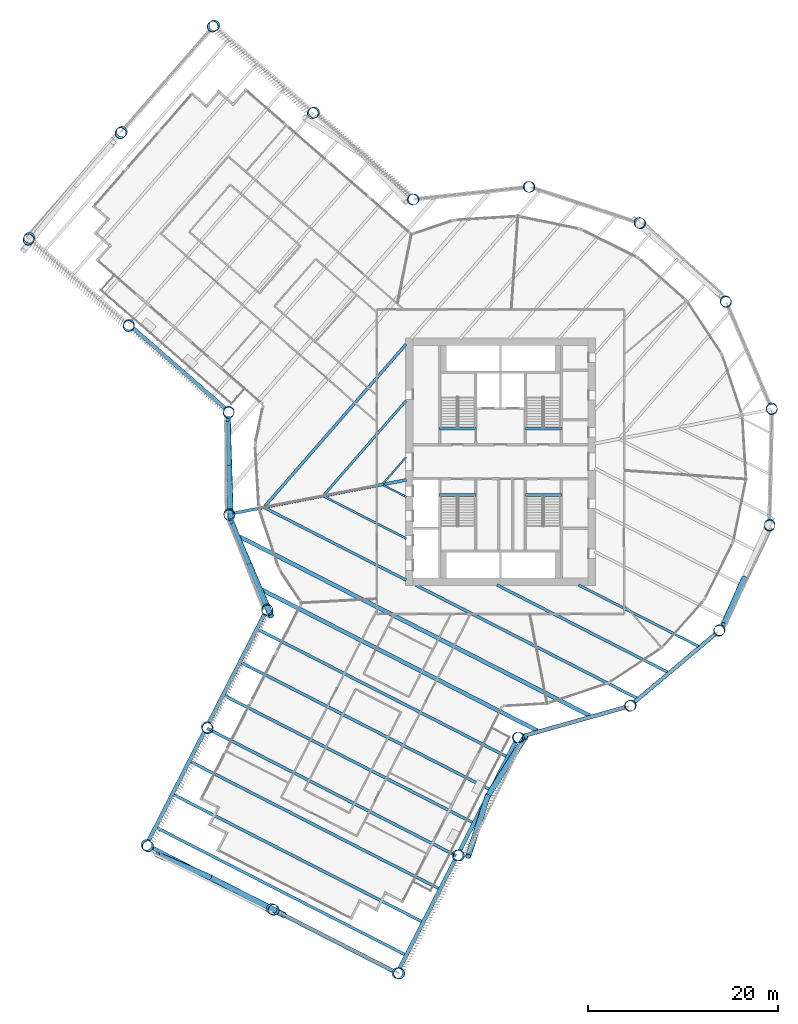
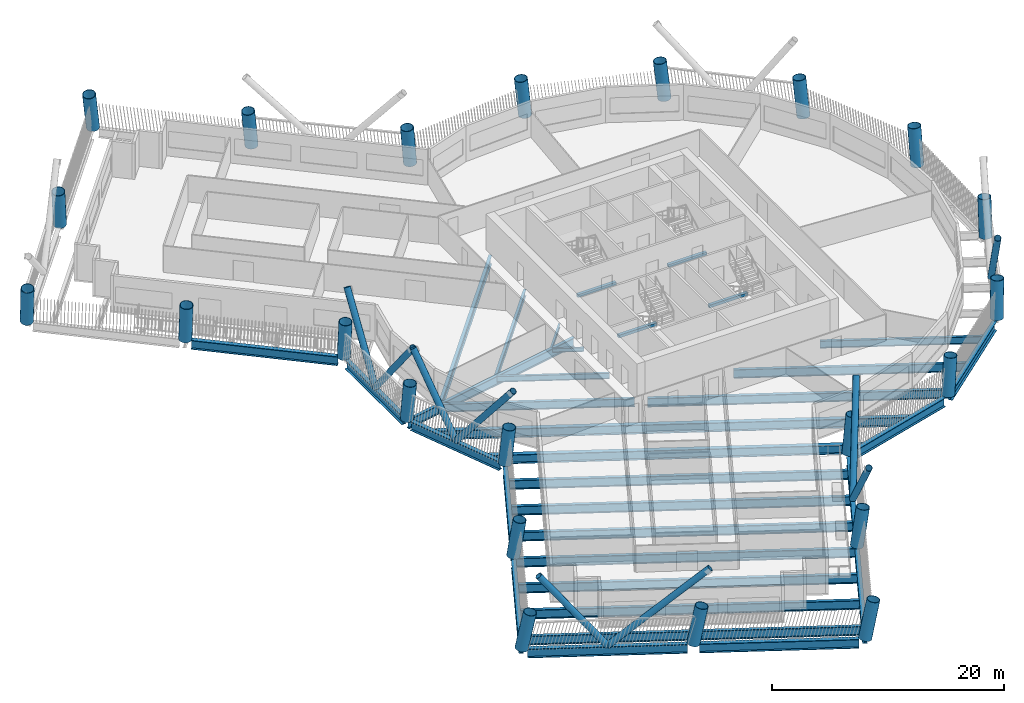
# One storey, part 1 of 21: 34 beams, 22 columns, 9 members.
"""IFC4 building model written with IfcOpenShell, lengths in metres."""

from ifc_helpers import new_model, si_unit, direction, frame, origin, origin_2d, place, context, subcontext, project, spatial, rectangle, hollow_circle, i_section, extrude, material, material_profile, profile_set, type_object, element, save


model = new_model("IFC4")

# Units and contexts
model_context = context("Model", 3, precision=1e-05, world=origin(), true_north=direction((0.0, 1.0)))
body_context = subcontext(model_context, "Body", "Model", "MODEL_VIEW")
ifc_project = project(units=[si_unit("LENGTHUNIT", "METRE"), si_unit("AREAUNIT", "SQUARE_METRE"), si_unit("VOLUMEUNIT", "CUBIC_METRE"), si_unit("PLANEANGLEUNIT", "RADIAN"), si_unit("MASSUNIT", "GRAM", prefix="KILO")], contexts=[model_context])

# Site, building, storey
site_placement = place(None, origin())
site = spatial("IfcSite", under=ifc_project, at=site_placement, CompositionType="ELEMENT")
building_placement = place(site_placement, origin())
building = spatial("IfcBuilding", under=site, at=building_placement, Name="Tarsis Ring Headquarters", CompositionType="ELEMENT")
storey_placement = place(building_placement, frame((0.0, 0.0, 100.60009765625)))
storey = spatial("IfcBuildingStorey", under=building, at=storey_placement, Name="L22", CompositionType="ELEMENT", Elevation=100.60009765625)

# Columns
ifc_material_1 = material(Name="Structural steel S355", Category="steel")
ifc_material_profile_1 = material_profile(ifc_material_1, hollow_circle(Radius=0.584228515625, WallThickness=0.044921875, at=origin_2d()), Name="CHS 1168x45")
ifc_profile_set_1 = profile_set([ifc_material_profile_1], Name="Structural steel S355")
column_type = type_object("IfcColumnType", Name="XC Exo column CHS 1168x45", PredefinedType="COLUMN", material=ifc_profile_set_1)
for number, where, z_axis, x_axis, name in (
    (1, (-28.5224609375, -5.5029296875, 0.000732421875), (0.01975212753, -0.098947566301, 0.994896593914), (0.980651865464, 0.195759849718, 0.0), "Exo column XC3 F1"),
    (2, (-24.55615234375, -15.517822265625, 0.000732421875), (0.054458609358, -0.084928014365, 0.99489772954), (0.841799986268, 0.539789573, 0.0), "Exo column XC3 AK"),
):
    element("IfcColumn", number, at=place(storey_placement, frame(where, z_axis=z_axis, x_axis=x_axis)), inside=storey, type_object=column_type, Name=name, PredefinedType="COLUMN", context=body_context, shape_type="SweptSolid", body=[
        extrude(hollow_circle(Radius=0.584228515625, WallThickness=0.044921875, at=origin_2d()), origin(), (0.0, 0.0, 1.0), 3.918212890625),
    ])
column_1_placement = place(storey_placement, frame((-30.885009765625, -27.896240234375, 0.0009765625), z_axis=(0.097065152166, -0.1059906834, 0.989618275532), x_axis=(0.737476290314, 0.675373023761, 0.0)))
element("IfcColumn", 3, at=column_1_placement, inside=storey, type_object=column_type, Name="Exo column XC3 AI1", PredefinedType="COLUMN", context=body_context, shape_type="SweptSolid", body=[
    extrude(hollow_circle(Radius=0.584228515625, WallThickness=0.044921875, at=origin_2d()), origin(), (0.0, 0.0, 1.0), 3.938720703125),
])
column_2_placement = place(storey_placement, frame((-37.213623046875, -40.2744140625, 0.001220703125), z_axis=(0.138922093606, -0.126617213747, 0.98217551033), x_axis=(0.673617167982, 0.739080449613, 0.0)))
element("IfcColumn", 4, at=column_2_placement, inside=storey, type_object=column_type, Name="Exo column XC3 AT1", PredefinedType="COLUMN", context=body_context, shape_type="SweptSolid", body=[
    extrude(hollow_circle(Radius=0.584228515625, WallThickness=0.044921875, at=origin_2d()), origin(), (0.0, 0.0, 1.0), 3.96826171875),
])
column_3_placement = place(storey_placement, frame((-24.0361328125, -47.01171875, 0.001220703125), z_axis=(0.161954556812, -0.081439301676, 0.98343193037), x_axis=(0.449251395941, 0.893405385726, 0.0)))
element("IfcColumn", 5, at=column_3_placement, inside=storey, type_object=column_type, Name="Exo column XC3 AT2", PredefinedType="COLUMN", context=body_context, shape_type="SweptSolid", body=[
    extrude(hollow_circle(Radius=0.584228515625, WallThickness=0.044921875, at=origin_2d()), origin(), (0.0, 0.0, 1.0), 3.963134765625),
])
column_4_placement = place(storey_placement, frame((-10.858642578125, -53.7490234375, 0.001220703125), z_axis=(0.184510871, -0.035991617051, 0.982171238626), x_axis=(0.191456532056, 0.981501093394, 0.0)))
element("IfcColumn", 6, at=column_4_placement, inside=storey, type_object=column_type, Name="Exo column XC3 AT3", PredefinedType="COLUMN", context=body_context, shape_type="SweptSolid", body=[
    extrude(hollow_circle(Radius=0.584228515625, WallThickness=0.044921875, at=origin_2d()), origin(), (0.0, 0.0, 1.0), 3.96826171875),
])
column_5_placement = place(storey_placement, frame((-4.530029296875, -41.370849609375, 0.0009765625), z_axis=(0.14305462382, -0.014689751233, 0.989605772928), x_axis=(0.102149165937, 0.994769092754, 0.0)))
element("IfcColumn", 7, at=column_5_placement, inside=storey, type_object=column_type, Name="Exo column XC3 AO1", PredefinedType="COLUMN", context=body_context, shape_type="SweptSolid", body=[
    extrude(hollow_circle(Radius=0.584228515625, WallThickness=0.044921875, at=origin_2d()), origin(), (0.0, 0.0, 1.0), 3.93896484375),
])
for number, where, z_axis, x_axis, name in (
    (8, (1.798828125, -28.99267578125, 0.000732421875), (0.100630253718, 0.006916382763, 0.994899852089), (-0.068568884616, 0.997646384278, 0.0), "Exo column XC3 AJ"),
    (9, (13.58935546875, -25.673828125, 0.000732421875), (0.088853499833, 0.047791468704, 0.994897497779), (-0.473694653802, 0.880689147747, 0.0), "Exo column XC3 R1"),
    (10, (22.9638671875, -17.7900390625, 0.000732421875), (0.06118816158, 0.080192631318, 0.99489956818), (-0.795006121233, 0.606601407188, 0.0), "Exo column XC3 R2"),
    (11, (28.255126953125, -6.742919921875, 0.000732421875), (0.022743077745, 0.098262557818, 0.99490060918), (-0.974245221713, 0.225491126142, 0.0), "Exo column XC3 R3"),
    (12, (28.5224609375, 5.5029296875, 0.000732421875), (-0.01975212753, 0.098947566301, 0.994896593914), (-0.980651865464, -0.195759849718, 0.0), "Exo column XC3 R4"),
    (13, (23.718505859375, 16.7705078125, 0.000732421875), (-0.05882042949, 0.081937356757, 0.994900209389), (-0.812353749463, -0.583164972999, 0.0), "Exo column XC3 R5"),
    (14, (14.697265625, 25.05615234375, 0.000732421875), (-0.087358354162, 0.050408636603, 0.994900742443), (-0.499793761865, -0.866144442689, 0.0), "Exo column XC3 R6"),
    (15, (3.062744140625, 28.88671875, 0.000732421875), (-0.100381003788, 0.009907249908, 0.994899743933), (-0.098219244733, -0.995164800405, 0.0), "Exo column XC3 R7"),
    (16, (-9.1162109375, 27.5810546875, 0.000732421875), (-0.095582797875, -0.032338638916, 0.994896045416), (0.320485364698, -0.947253467143, 0.0), "Exo column XC3 BJ"),
):
    element("IfcColumn", number, at=place(storey_placement, frame(where, z_axis=z_axis, x_axis=x_axis)), inside=storey, type_object=column_type, Name=name, PredefinedType="COLUMN", context=body_context, shape_type="SweptSolid", body=[
        extrude(hollow_circle(Radius=0.584228515625, WallThickness=0.044921875, at=origin_2d()), origin(), (0.0, 0.0, 1.0), 3.918212890625),
    ])
column_6_placement = place(storey_placement, frame((-19.595703125, 36.71630859375, 0.0009765625), z_axis=(-0.126381998797, -0.068552472128, 0.989610099456), x_axis=(0.476796915607, -0.879013481846, 0.0)))
element("IfcColumn", 17, at=column_6_placement, inside=storey, type_object=column_type, Name="Exo column XC3 BO1", PredefinedType="COLUMN", context=body_context, shape_type="SweptSolid", body=[
    extrude(hollow_circle(Radius=0.584228515625, WallThickness=0.044921875, at=origin_2d()), origin(), (0.0, 0.0, 1.0), 3.93896484375),
])
column_7_placement = place(storey_placement, frame((-30.0751953125, 45.8515625, 0.001220703125), z_axis=(-0.156516810767, -0.104159968801, 0.982167597127), x_axis=(0.554020355136, -0.832503120772, 0.0)))
element("IfcColumn", 18, at=column_7_placement, inside=storey, type_object=column_type, Name="Exo column XC3 BT3", PredefinedType="COLUMN", context=body_context, shape_type="SweptSolid", body=[
    extrude(hollow_circle(Radius=0.584228515625, WallThickness=0.044921875, at=origin_2d()), origin(), (0.0, 0.0, 1.0), 3.96826171875),
])
column_8_placement = place(storey_placement, frame((-39.800537109375, 34.6953125, 0.001220703125), z_axis=(-0.118155477242, -0.137437366906, 0.983437976375), x_axis=(0.75829608552, -0.651910305705, 0.0)))
element("IfcColumn", 19, at=column_8_placement, inside=storey, type_object=column_type, Name="Exo column XC3 BT2", PredefinedType="COLUMN", context=body_context, shape_type="SweptSolid", body=[
    extrude(hollow_circle(Radius=0.584228515625, WallThickness=0.044921875, at=origin_2d()), origin(), (0.0, 0.0, 1.0), 3.963134765625),
])
column_9_placement = place(storey_placement, frame((-49.525634765625, 23.5390625, 0.001220703125), z_axis=(-0.07955108668, -0.170299619436, 0.982175984347), x_axis=(0.906024194005, -0.423225896983, 0.0)))
element("IfcColumn", 20, at=column_9_placement, inside=storey, type_object=column_type, Name="Exo column XC3 BT1", PredefinedType="COLUMN", context=body_context, shape_type="SweptSolid", body=[
    extrude(hollow_circle(Radius=0.584228515625, WallThickness=0.044921875, at=origin_2d()), origin(), (0.0, 0.0, 1.0), 3.96826171875),
])
column_10_placement = place(storey_placement, frame((-39.046142578125, 14.40380859375, 0.0009765625), z_axis=(-0.048842373177, -0.135184284136, 0.989615901199), x_axis=(0.940496488031, -0.339803407872, 0.0)))
element("IfcColumn", 21, at=column_10_placement, inside=storey, type_object=column_type, Name="Exo column XC3 BI1", PredefinedType="COLUMN", context=body_context, shape_type="SweptSolid", body=[
    extrude(hollow_circle(Radius=0.584228515625, WallThickness=0.044921875, at=origin_2d()), origin(), (0.0, 0.0, 1.0), 3.93896484375),
])
column_11_placement = place(storey_placement, frame((-28.566650390625, 5.2685546875, 0.000732421875), z_axis=(-0.017633647585, -0.099321675797, 0.994899120107), x_axis=(0.984602695421, -0.174807128484, 0.0)))
element("IfcColumn", 22, at=column_11_placement, inside=storey, type_object=column_type, Name="Exo column XC3 BK", PredefinedType="COLUMN", context=body_context, shape_type="SweptSolid", body=[
    extrude(hollow_circle(Radius=0.584228515625, WallThickness=0.044921875, at=origin_2d()), origin(), (0.0, 0.0, 1.0), 3.918212890625),
])

# Beams
ifc_material_profile_2 = material_profile(ifc_material_1, i_section(OverallWidth=0.177734375, OverallDepth=0.406494140625, WebThickness=0.0078125, FlangeThickness=0.0126953125, at=origin_2d()), Name="W16x40")
ifc_profile_set_2 = profile_set([ifc_material_profile_2], Name="Structural steel S355")
beam_type_1 = type_object("IfcBeamType", Name="FB Floor beam W16x40", PredefinedType="JOIST", material=ifc_profile_set_2)
beam_1_placement = place(storey_placement, frame((-12.304931640625, -2.468994140625, -0.36328125), z_axis=(0.890359443983, -0.455258234972, 0.0), x_axis=(0.455258234972, 0.890359443983, 0.0)))
element("IfcBeam", 23, at=beam_1_placement, inside=storey, type_object=beam_type_1, Name="Floor beam FB1", PredefinedType="JOIST", context=body_context, shape_type="SweptSolid", body=[
    extrude(i_section(OverallWidth=0.177734375, OverallDepth=0.406494140625, WebThickness=0.0078125, FlangeThickness=0.0126953125, at=origin_2d()), origin(), (0.0, 0.0, 1.0), 2.68896484375),
])
beam_2_placement = place(storey_placement, frame((-9.934326171875, 0.47412109375, -0.36328125), z_axis=(-0.657143943431, -0.753765107717, 0.0), x_axis=(0.753765107717, -0.657143943431, 0.0)))
element("IfcBeam", 24, at=beam_2_placement, inside=storey, type_object=beam_type_1, Name="Floor beam FB1", PredefinedType="JOIST", context=body_context, shape_type="SweptSolid", body=[
    extrude(i_section(OverallWidth=0.177734375, OverallDepth=0.406494140625, WebThickness=0.0078125, FlangeThickness=0.0126953125, at=origin_2d()), origin(), (0.0, 0.0, 1.0), 3.661376953125),
])
ifc_material_profile_3 = material_profile(ifc_material_1, i_section(OverallWidth=0.228271484375, OverallDepth=0.607177734375, WebThickness=0.01123046875, FlangeThickness=0.017333984375, at=origin_2d()), Name="W24x76")
ifc_profile_set_3 = profile_set([ifc_material_profile_3], Name="Structural steel S355")
beam_type_2 = type_object("IfcBeamType", Name="FB Floor beam W24x76", PredefinedType="JOIST", material=ifc_profile_set_3)
beam_3_placement = place(storey_placement, frame((-18.52490234375, -3.669189453125, -0.463623046875), z_axis=(0.890378770389, -0.455220435877, 0.0), x_axis=(0.455220435877, 0.890378770389, 0.0)))
element("IfcBeam", 25, at=beam_3_placement, inside=storey, type_object=beam_type_2, Name="Floor beam FB4", PredefinedType="JOIST", context=body_context, shape_type="SweptSolid", body=[
    extrude(i_section(OverallWidth=0.228271484375, OverallDepth=0.607177734375, WebThickness=0.01123046875, FlangeThickness=0.017333984375, at=origin_2d()), origin(), (0.0, 0.0, 1.0), 9.674560546875),
])
ifc_material_profile_4 = material_profile(ifc_material_1, i_section(OverallWidth=0.2529296875, OverallDepth=0.67822265625, WebThickness=0.01171875, FlangeThickness=0.016357421875, at=origin_2d()), Name="W27x84")
ifc_profile_set_4 = profile_set([ifc_material_profile_4], Name="Structural steel S355")
beam_type_3 = type_object("IfcBeamType", Name="FB Floor beam W27x84", PredefinedType="JOIST", material=ifc_profile_set_4)
beam_4_placement = place(storey_placement, frame((-9.934326171875, 6.4091796875, -0.499267578125), z_axis=(-0.657105124044, -0.753798949293, 0.0), x_axis=(0.753798949293, -0.657105124044, 0.0)))
element("IfcBeam", 26, at=beam_4_placement, inside=storey, type_object=beam_type_3, Name="Floor beam FB5", PredefinedType="JOIST", context=body_context, shape_type="SweptSolid", body=[
    extrude(i_section(OverallWidth=0.2529296875, OverallDepth=0.67822265625, WebThickness=0.01171875, FlangeThickness=0.016357421875, at=origin_2d()), origin(), (0.0, 0.0, 1.0), 13.126953125),
])
ifc_material_profile_5 = material_profile(ifc_material_1, i_section(OverallWidth=0.2666015625, OverallDepth=0.7568359375, WebThickness=0.013916015625, FlangeThickness=0.019287109375, at=origin_2d()), Name="W30x108")
ifc_profile_set_5 = profile_set([ifc_material_profile_5], Name="Structural steel S355")
beam_type_4 = type_object("IfcBeamType", Name="FB Floor beam W30x108", PredefinedType="JOIST", material=ifc_profile_set_5)
beam_5_placement = place(storey_placement, frame((8.203125, -12.95458984375, -0.53857421875), z_axis=(0.890373653023, -0.455230444942, 0.0), x_axis=(0.455230444942, 0.890373653023, 0.0)))
element("IfcBeam", 27, at=beam_5_placement, inside=storey, type_object=beam_type_4, Name="Floor beam FB6", PredefinedType="JOIST", context=body_context, shape_type="SweptSolid", body=[
    extrude(i_section(OverallWidth=0.2666015625, OverallDepth=0.7568359375, WebThickness=0.013916015625, FlangeThickness=0.019287109375, at=origin_2d()), origin(), (0.0, 0.0, 1.0), 14.19580078125),
])
ifc_material_profile_6 = material_profile(ifc_material_1, i_section(OverallWidth=0.2919921875, OverallDepth=0.835693359375, WebThickness=0.013916015625, FlangeThickness=0.018798828125, at=origin_2d()), Name="W33x118")
ifc_profile_set_6 = profile_set([ifc_material_profile_6], Name="Structural steel S355")
beam_type_5 = type_object("IfcBeamType", Name="FB Floor beam W33x118", PredefinedType="JOIST", material=ifc_profile_set_6)
beam_6_placement = place(storey_placement, frame((-24.74462890625, -4.869140625, -0.577880859375), z_axis=(0.890372913026, -0.455231892282, 0.0), x_axis=(0.455231892282, 0.890372913026, 0.0)))
element("IfcBeam", 28, at=beam_6_placement, inside=storey, type_object=beam_type_5, Name="Floor beam FB7", PredefinedType="JOIST", context=body_context, shape_type="SweptSolid", body=[
    extrude(i_section(OverallWidth=0.2919921875, OverallDepth=0.835693359375, WebThickness=0.013916015625, FlangeThickness=0.018798828125, at=origin_2d()), origin(), (0.0, 0.0, 1.0), 16.66015625),
])
ifc_material_profile_7 = material_profile(ifc_material_1, i_section(OverallWidth=0.3046875, OverallDepth=0.904296875, WebThickness=0.01513671875, FlangeThickness=0.02001953125, at=origin_2d()), Name="W36x135")
ifc_profile_set_7 = profile_set([ifc_material_profile_7], Name="Structural steel S355")
beam_type_6 = type_object("IfcBeamType", Name="FB Floor beam W36x135", PredefinedType="JOIST", material=ifc_profile_set_7)
beam_7_placement = place(storey_placement, frame((-0.364013671875, -12.95458984375, -0.6123046875), z_axis=(0.890374534267, -0.455228721335, 0.0), x_axis=(0.455228721335, 0.890374534267, 0.0)))
element("IfcBeam", 29, at=beam_7_placement, inside=storey, type_object=beam_type_6, Name="Floor beam FB8", PredefinedType="JOIST", context=body_context, shape_type="SweptSolid", body=[
    extrude(i_section(OverallWidth=0.3046875, OverallDepth=0.904296875, WebThickness=0.01513671875, FlangeThickness=0.02001953125, at=origin_2d()), origin(), (0.0, 0.0, 1.0), 20.179931640625),
])
ifc_material_profile_8 = material_profile(ifc_material_1, i_section(OverallWidth=0.3046875, OverallDepth=0.91943359375, WebThickness=0.017333984375, FlangeThickness=0.02783203125, at=origin_2d()), Name="W36x170")
ifc_profile_set_8 = profile_set([ifc_material_profile_8], Name="Structural steel S355")
beam_type_7 = type_object("IfcBeamType", Name="FB Floor beam W36x170", PredefinedType="JOIST", material=ifc_profile_set_8)
beam_8_placement = place(storey_placement, frame((-9.934326171875, 12.34423828125, -0.619873046875), z_axis=(-0.657110325773, -0.753794414786, 0.0), x_axis=(0.753794414786, -0.657110325773, 0.0)))
element("IfcBeam", 30, at=beam_8_placement, inside=storey, type_object=beam_type_7, Name="Floor beam FB9", PredefinedType="JOIST", context=body_context, shape_type="SweptSolid", body=[
    extrude(i_section(OverallWidth=0.3046875, OverallDepth=0.91943359375, WebThickness=0.017333984375, FlangeThickness=0.02783203125, at=origin_2d()), origin(), (0.0, 0.0, 1.0), 22.59228515625),
])
ifc_material_profile_9 = material_profile(ifc_material_1, i_section(OverallWidth=0.309814453125, OverallDepth=0.93212890625, WebThickness=0.02099609375, FlangeThickness=0.034423828125, at=origin_2d()), Name="W36x210")
ifc_profile_set_9 = profile_set([ifc_material_profile_9], Name="Structural steel S355")
beam_type_8 = type_object("IfcBeamType", Name="FB Floor beam W36x210", PredefinedType="JOIST", material=ifc_profile_set_9)
beam_9_placement = place(storey_placement, frame((-8.930908203125, -12.95458984375, -0.626220703125), z_axis=(0.890371144889, -0.455235350505, 0.0), x_axis=(0.455235350505, 0.890371144889, 0.0)))
element("IfcBeam", 31, at=beam_9_placement, inside=storey, type_object=beam_type_8, Name="Floor beam FB10", PredefinedType="JOIST", context=body_context, shape_type="SweptSolid", body=[
    extrude(i_section(OverallWidth=0.309814453125, OverallDepth=0.93212890625, WebThickness=0.02099609375, FlangeThickness=0.034423828125, at=origin_2d()), origin(), (0.0, 0.0, 1.0), 26.163818359375),
])
ifc_material_profile_10 = material_profile(ifc_material_1, i_section(OverallWidth=0.309814453125, OverallDepth=0.949951171875, WebThickness=0.0244140625, FlangeThickness=0.0439453125, at=origin_2d()), Name="W36x256")
ifc_profile_set_10 = profile_set([ifc_material_profile_10], Name="Structural steel S355")
beam_type_9 = type_object("IfcBeamType", Name="FB Floor beam W36x256", PredefinedType="JOIST", material=ifc_profile_set_10)
beam_10_placement = place(storey_placement, frame((-25.505615234375, -17.62060546875, -0.635009765625), z_axis=(0.890370232984, -0.455237134048, 0.0), x_axis=(0.455237134048, 0.890370232984, 0.0)))
element("IfcBeam", 32, at=beam_10_placement, inside=storey, type_object=beam_type_9, Name="Floor beam FB11", PredefinedType="JOIST", context=body_context, shape_type="SweptSolid", body=[
    extrude(i_section(OverallWidth=0.309814453125, OverallDepth=0.949951171875, WebThickness=0.0244140625, FlangeThickness=0.0439453125, at=origin_2d()), origin(), (0.0, 0.0, 1.0), 29.3759765625),
])
for number, where, z_axis, x_axis, name in (
    (33, (-27.281005859375, -21.09326171875, -0.635009765625), (0.89037187929, -0.455233914126, 0.0), (0.455233914126, 0.89037187929, 0.0), "Floor beam FB11"),
    (34, (-29.056396484375, -24.565673828125, -0.635009765625), (0.89037187929, -0.455233914126, 0.0), (0.455233914126, 0.89037187929, 0.0), "Floor beam FB11"),
    (35, (-30.831787109375, -28.0380859375, -0.635009765625), (0.89037187929, -0.455233914126, 0.0), (0.455233914126, 0.89037187929, 0.0), "Floor beam FB11"),
    (36, (-32.607177734375, -31.510498046875, -0.635009765625), (0.89037187929, -0.455233914126, 0.0), (0.455233914126, 0.89037187929, 0.0), "Floor beam FB11"),
    (37, (-34.382568359375, -34.98291015625, -0.635009765625), (0.89037187929, -0.455233914126, 0.0), (0.455233914126, 0.89037187929, 0.0), "Floor beam FB11"),
    (38, (-36.157958984375, -38.455322265625, -0.635009765625), (0.89036851061, -0.455240502718, 0.0), (0.455240502718, 0.89036851061, 0.0), "Floor beam FB11"),
):
    element("IfcBeam", number, at=place(storey_placement, frame(where, z_axis=z_axis, x_axis=x_axis)), inside=storey, type_object=beam_type_9, Name=name, PredefinedType="JOIST", context=body_context, shape_type="SweptSolid", body=[
        extrude(i_section(OverallWidth=0.309814453125, OverallDepth=0.949951171875, WebThickness=0.0244140625, FlangeThickness=0.0439453125, at=origin_2d()), origin(), (0.0, 0.0, 1.0), 29.375732421875),
    ])
beam_type_10 = type_object("IfcBeamType", Name="FB Floor beam W36x256 spine", PredefinedType="BEAM", material=ifc_profile_set_10)
beam_11_placement = place(storey_placement, frame((-9.90185546875, -1.910400390625, -0.635009765625), z_axis=(-0.981892629774, -0.189438284397, 0.0), x_axis=(0.189438284397, -0.981892629774, 0.0)))
element("IfcBeam", 39, at=beam_11_placement, inside=storey, type_object=beam_type_10, Name="Floor beam SB11", PredefinedType="BEAM", context=body_context, shape_type="SweptSolid", body=[
    extrude(i_section(OverallWidth=0.309814453125, OverallDepth=0.949951171875, WebThickness=0.0244140625, FlangeThickness=0.0439453125, at=origin_2d()), origin(), (0.0, 0.0, 1.0), 18.84814453125),
])
ifc_material_profile_11 = material_profile(ifc_material_1, i_section(OverallWidth=0.42431640625, OverallDepth=0.947509765625, WebThickness=0.02392578125, FlangeThickness=0.042724609375, at=origin_2d()), Name="W36x302")
ifc_profile_set_11 = profile_set([ifc_material_profile_11], Name="Structural steel S355")
beam_type_11 = type_object("IfcBeamType", Name="FB Floor beam W36x302", PredefinedType="JOIST", material=ifc_profile_set_11)
beam_12_placement = place(storey_placement, frame((-27.42431640625, -7.87939453125, -0.6337890625), z_axis=(0.890372947408, -0.455231825033, 0.0), x_axis=(0.455231825033, 0.890372947408, 0.0)))
element("IfcBeam", 40, at=beam_12_placement, inside=storey, type_object=beam_type_11, Name="Floor beam FB12", PredefinedType="JOIST", context=body_context, shape_type="SweptSolid", body=[
    extrude(i_section(OverallWidth=0.42431640625, OverallDepth=0.947509765625, WebThickness=0.02392578125, FlangeThickness=0.042724609375, at=origin_2d()), origin(), (0.0, 0.0, 1.0), 41.35302734375),
])
beam_13_placement = place(storey_placement, frame((-25.249267578125, -13.37158203125, -0.6337890625), z_axis=(0.890370405522, -0.455236796592, 0.0), x_axis=(0.455236796592, 0.890370405522, 0.0)))
element("IfcBeam", 41, at=beam_13_placement, inside=storey, type_object=beam_type_11, Name="Floor beam FB12", PredefinedType="JOIST", context=body_context, shape_type="SweptSolid", body=[
    extrude(i_section(OverallWidth=0.42431640625, OverallDepth=0.947509765625, WebThickness=0.02392578125, FlangeThickness=0.042724609375, at=origin_2d()), origin(), (0.0, 0.0, 1.0), 32.704833984375),
])
ifc_material_2 = material(Name="Concrete C40/50", Category="concrete")
ifc_material_profile_12 = material_profile(ifc_material_2, rectangle(XDim=0.300048828125, YDim=0.300048828125, at=origin_2d()), Name="Stair head beam 300x300 C40/50")
ifc_profile_set_12 = profile_set([ifc_material_profile_12], Name="Concrete C40/50")
beam_type_12 = type_object("IfcBeamType", Name="Stair head beam 300x300 C40/50", PredefinedType="BEAM", material=ifc_profile_set_12)
for number, where, z_axis, x_axis, name in (
    (42, (-6.39990234375, 3.510009765625, -0.31005859375), (1.0, 0.0, 0.0), (0.0, 1.0, 0.0), "Stair head beam L22 Firefighting stair"),
    (43, (2.60009765625, 3.510009765625, -0.31005859375), (1.0, 0.0, 0.0), (0.0, 1.0, 0.0), "Stair head beam L22 Exit stair B"),
    (44, (-6.39990234375, -3.510009765625, -0.31005859375), (1.0, 0.0, 0.0), (0.0, 1.0, 0.0), "Stair head beam L22 Exit stair C"),
    (45, (2.60009765625, -3.510009765625, -0.31005859375), (1.0, 0.0, 0.0), (0.0, 1.0, 0.0), "Stair head beam L22 Exit stair D"),
):
    element("IfcBeam", number, at=place(storey_placement, frame(where, z_axis=z_axis, x_axis=x_axis)), inside=storey, type_object=beam_type_12, Name=name, PredefinedType="BEAM", context=body_context, shape_type="SweptSolid", body=[
        extrude(rectangle(XDim=0.300048828125, YDim=0.300048828125, at=origin_2d()), origin(), (0.0, 0.0, 1.0), 3.7998046875),
    ])

# Members
ifc_material_profile_13 = material_profile(ifc_material_1, hollow_circle(Radius=0.3046875, WallThickness=0.02490234375, at=origin_2d()), Name="CHS 610x25")
ifc_profile_set_13 = profile_set([ifc_material_profile_13], Name="Structural steel S355")
member_type = type_object("IfcMemberType", Name="XD X brace CHS 610x25", PredefinedType="BRACE", material=ifc_profile_set_13)
member_1_placement = place(storey_placement, frame((-26.539306640625, -10.51025390625, 0.0), z_axis=(0.242891707741, -0.570414843679, 0.78462126177), x_axis=(0.920060472208, 0.391776374328, 0.0)))
element("IfcMember", 46, at=member_1_placement, inside=storey, type_object=member_type, Name="X brace XD1", PredefinedType="BRACE", context=body_context, shape_type="SweptSolid", body=[
    extrude(hollow_circle(Radius=0.3046875, WallThickness=0.02490234375, at=origin_2d()), origin(), (0.0, 0.0, 1.0), 9.94091796875),
])
member_2_placement = place(storey_placement, frame((-26.539306640625, -10.51025390625, 0.0), z_axis=(-0.201195160354, 0.46722765741, 0.860940662068), x_axis=(-0.918464133194, -0.39550428068, 0.0)))
element("IfcMember", 47, at=member_2_placement, inside=storey, type_object=member_type, Name="X brace XD1", PredefinedType="BRACE", context=body_context, shape_type="SweptSolid", body=[
    extrude(hollow_circle(Radius=0.3046875, WallThickness=0.02490234375, at=origin_2d()), origin(), (0.0, 0.0, 1.0), 9.0595703125),
])
member_3_placement = place(storey_placement, frame((-30.625, -43.642822265625, 0.0), z_axis=(0.668305053368, -0.339848426073, 0.661718522439), x_axis=(0.453280903793, 0.891367725609, 0.0)))
element("IfcMember", 48, at=member_3_placement, inside=storey, type_object=member_type, Name="X brace XD1", PredefinedType="BRACE", context=body_context, shape_type="SweptSolid", body=[
    extrude(hollow_circle(Radius=0.3046875, WallThickness=0.02490234375, at=origin_2d()), origin(), (0.0, 0.0, 1.0), 11.787109375),
])
member_4_placement = place(storey_placement, frame((-30.625, -43.642822265625, 0.0), z_axis=(-0.557802907437, 0.241330975817, 0.794112886538), x_axis=(-0.397075968391, -0.917785745872, 0.0)))
element("IfcMember", 49, at=member_4_placement, inside=storey, type_object=member_type, Name="X brace XD1", PredefinedType="BRACE", context=body_context, shape_type="SweptSolid", body=[
    extrude(hollow_circle(Radius=0.3046875, WallThickness=0.02490234375, at=origin_2d()), origin(), (0.0, 0.0, 1.0), 9.822021484375),
])
member_5_placement = place(storey_placement, frame((-1.36572265625, -35.181884765625, 0.0), z_axis=(0.367813898955, 0.58141037202, 0.725723718121), x_axis=(-0.845090100408, 0.53462390724, 0.0)))
element("IfcMember", 50, at=member_5_placement, inside=storey, type_object=member_type, Name="X brace XD1", PredefinedType="BRACE", context=body_context, shape_type="SweptSolid", body=[
    extrude(hollow_circle(Radius=0.3046875, WallThickness=0.02490234375, at=origin_2d()), origin(), (0.0, 0.0, 1.0), 10.74755859375),
])
member_6_placement = place(storey_placement, frame((-1.36572265625, -35.181884765625, 0.0), z_axis=(-0.199073984388, -0.615599481994, 0.762500378038), x_axis=(0.95148550143, -0.307693582268, 0.0)))
element("IfcMember", 51, at=member_6_placement, inside=storey, type_object=member_type, Name="X brace XD1", PredefinedType="BRACE", context=body_context, shape_type="SweptSolid", body=[
    extrude(hollow_circle(Radius=0.3046875, WallThickness=0.02490234375, at=origin_2d()), origin(), (0.0, 0.0, 1.0), 10.229248046875),
])
member_7_placement = place(storey_placement, frame((25.609375, -12.2666015625, 0.0), z_axis=(-0.22940211566, -0.517135552359, 0.824588072808), x_axis=(0.914097287338, -0.405494943595, 0.0)))
element("IfcMember", 52, at=member_7_placement, inside=storey, type_object=member_type, Name="X brace XD1", PredefinedType="BRACE", context=body_context, shape_type="SweptSolid", body=[
    extrude(hollow_circle(Radius=0.3046875, WallThickness=0.02490234375, at=origin_2d()), origin(), (0.0, 0.0, 1.0), 9.458984375),
])
member_8_placement = place(storey_placement, frame((-28.544677734375, -0.1171875, 0.0), z_axis=(0.018370627861, -0.619689414691, 0.784632110834), x_axis=(0.999560879499, 0.02963187769, 0.0)))
element("IfcMember", 53, at=member_8_placement, inside=storey, type_object=member_type, Name="X brace XD1", PredefinedType="BRACE", context=body_context, shape_type="SweptSolid", body=[
    extrude(hollow_circle(Radius=0.3046875, WallThickness=0.02490234375, at=origin_2d()), origin(), (0.0, 0.0, 1.0), 9.940673828125),
])
member_9_placement = place(storey_placement, frame((-28.544677734375, -0.1171875, 0.0), z_axis=(-0.017085037052, 0.508428066333, 0.860934958562), x_axis=(-0.999435875183, -0.033584689928, 0.0)))
element("IfcMember", 54, at=member_9_placement, inside=storey, type_object=member_type, Name="X brace XD1", PredefinedType="BRACE", context=body_context, shape_type="SweptSolid", body=[
    extrude(hollow_circle(Radius=0.3046875, WallThickness=0.02490234375, at=origin_2d()), origin(), (0.0, 0.0, 1.0), 9.0595703125),
])

# Beams
beam_type_13 = type_object("IfcBeamType", Name="XG Ring girder W36x302", PredefinedType="BEAM", material=ifc_profile_set_11)
beam_14_placement = place(storey_placement, frame((-28.328857421875, -5.99169921875, -0.473876953125), z_axis=(0.36818823426, -0.929751270046, 0.0), x_axis=(0.929751270046, 0.36818823426, 0.0)))
element("IfcBeam", 55, at=beam_14_placement, inside=storey, type_object=beam_type_13, Name="Ring girder XG1", PredefinedType="BEAM", context=body_context, shape_type="SweptSolid", body=[
    extrude(i_section(OverallWidth=0.42431640625, OverallDepth=0.947509765625, WebThickness=0.02392578125, FlangeThickness=0.042724609375, at=origin_2d()), origin(), (0.0, 0.0, 1.0), 9.72021484375),
])
for number, where, z_axis, x_axis, name in (
    (56, (-24.795654296875, -15.986083984375, -0.473876953125), (-0.455235577799, -0.890371028676, 0.0), (0.890371028676, -0.455235577799, 0.0), "Ring girder XG1"),
    (57, (-31.12451171875, -28.3642578125, -0.473876953125), (-0.455243278438, -0.890367091394, 0.0), (0.890367091394, -0.455243278438, 0.0), "Ring girder XG1"),
):
    element("IfcBeam", number, at=place(storey_placement, frame(where, z_axis=z_axis, x_axis=x_axis)), inside=storey, type_object=beam_type_13, Name=name, PredefinedType="BEAM", context=body_context, shape_type="SweptSolid", body=[
        extrude(i_section(OverallWidth=0.42431640625, OverallDepth=0.947509765625, WebThickness=0.02392578125, FlangeThickness=0.042724609375, at=origin_2d()), origin(), (0.0, 0.0, 1.0), 12.8505859375),
    ])
for number, where, z_axis, x_axis, name in (
    (58, (-36.74560546875, -40.513427734375, -0.473876953125), (0.890370706771, -0.455236207395, 0.0), (0.455236207395, 0.890370706771, 0.0), "Ring girder XG1"),
    (59, (-23.568115234375, -47.2509765625, -0.473876953125), (0.890370706771, -0.455236207395, 0.0), (0.455236207395, 0.890370706771, 0.0), "Ring girder XG1"),
):
    element("IfcBeam", number, at=place(storey_placement, frame(where, z_axis=z_axis, x_axis=x_axis)), inside=storey, type_object=beam_type_13, Name=name, PredefinedType="BEAM", context=body_context, shape_type="SweptSolid", body=[
        extrude(i_section(OverallWidth=0.42431640625, OverallDepth=0.947509765625, WebThickness=0.02392578125, FlangeThickness=0.042724609375, at=origin_2d()), origin(), (0.0, 0.0, 1.0), 13.74853515625),
    ])
for number, where, z_axis, x_axis, name in (
    (60, (-10.61962890625, -53.281005859375, -0.473876953125), (0.455235577799, 0.890371028676, 0.0), (-0.890371028676, 0.455235577799, 0.0), "Ring girder XG1"),
    (61, (-4.290771484375, -40.90283203125, -0.473876953125), (0.455235577799, 0.890371028676, 0.0), (-0.890371028676, 0.455235577799, 0.0), "Ring girder XG1"),
):
    element("IfcBeam", number, at=place(storey_placement, frame(where, z_axis=z_axis, x_axis=x_axis)), inside=storey, type_object=beam_type_13, Name=name, PredefinedType="BEAM", context=body_context, shape_type="SweptSolid", body=[
        extrude(i_section(OverallWidth=0.42431640625, OverallDepth=0.947509765625, WebThickness=0.02392578125, FlangeThickness=0.042724609375, at=origin_2d()), origin(), (0.0, 0.0, 1.0), 12.8505859375),
    ])
beam_15_placement = place(storey_placement, frame((2.3046875, -28.850341796875, -0.473876953125), z_axis=(0.962593559119, 0.270949515486, 0.0), x_axis=(-0.270949515486, 0.962593559119, 0.0)))
element("IfcBeam", 62, at=beam_15_placement, inside=storey, type_object=beam_type_13, Name="Ring girder XG1", PredefinedType="BEAM", context=body_context, shape_type="SweptSolid", body=[
    extrude(i_section(OverallWidth=0.42431640625, OverallDepth=0.947509765625, WebThickness=0.02392578125, FlangeThickness=0.042724609375, at=origin_2d()), origin(), (0.0, 0.0, 1.0), 11.197509765625),
])
beam_16_placement = place(storey_placement, frame((13.99169921875, -25.33544921875, -0.473876953125), z_axis=(0.765327179273, 0.64364144418, 0.0), x_axis=(-0.64364144418, 0.765327179273, 0.0)))
element("IfcBeam", 63, at=beam_16_placement, inside=storey, type_object=beam_type_13, Name="Ring girder XG1", PredefinedType="BEAM", context=body_context, shape_type="SweptSolid", body=[
    extrude(i_section(OverallWidth=0.42431640625, OverallDepth=0.947509765625, WebThickness=0.02392578125, FlangeThickness=0.042724609375, at=origin_2d()), origin(), (0.0, 0.0, 1.0), 11.197265625),
])
beam_17_placement = place(storey_placement, frame((-38.64990234375, 14.05859375, -0.473876953125), z_axis=(0.7537934807, -0.657111397294, 0.0), x_axis=(0.657111397294, 0.7537934807, 0.0)))
element("IfcBeam", 64, at=beam_17_placement, inside=storey, type_object=beam_type_13, Name="Ring girder XG1", PredefinedType="BEAM", context=body_context, shape_type="SweptSolid", body=[
    extrude(i_section(OverallWidth=0.42431640625, OverallDepth=0.947509765625, WebThickness=0.02392578125, FlangeThickness=0.042724609375, at=origin_2d()), origin(), (0.0, 0.0, 1.0), 12.8505859375),
])
beam_18_placement = place(storey_placement, frame((-28.564453125, 4.742919921875, -0.473876953125), z_axis=(0.004094105792, -0.999991619114, 0.0), x_axis=(0.999991619114, 0.004094105792, 0.0)))
element("IfcBeam", 65, at=beam_18_placement, inside=storey, type_object=beam_type_13, Name="Ring girder XG1", PredefinedType="BEAM", context=body_context, shape_type="SweptSolid", body=[
    extrude(i_section(OverallWidth=0.42431640625, OverallDepth=0.947509765625, WebThickness=0.02392578125, FlangeThickness=0.042724609375, at=origin_2d()), origin(), (0.0, 0.0, 1.0), 9.719970703125),
])

save(model, "model.ifc")
